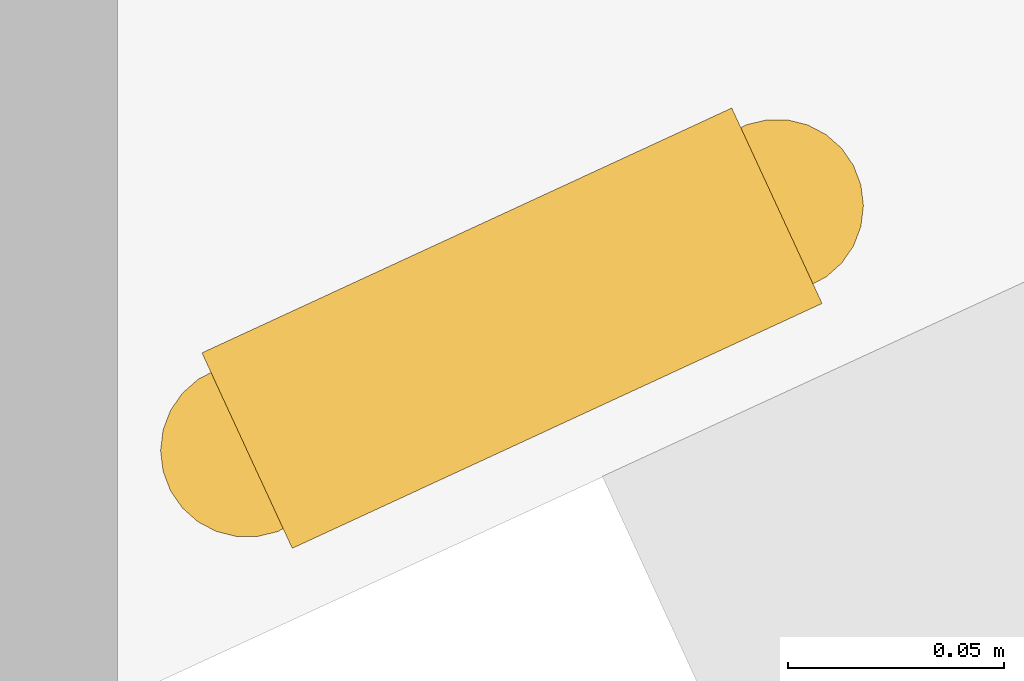
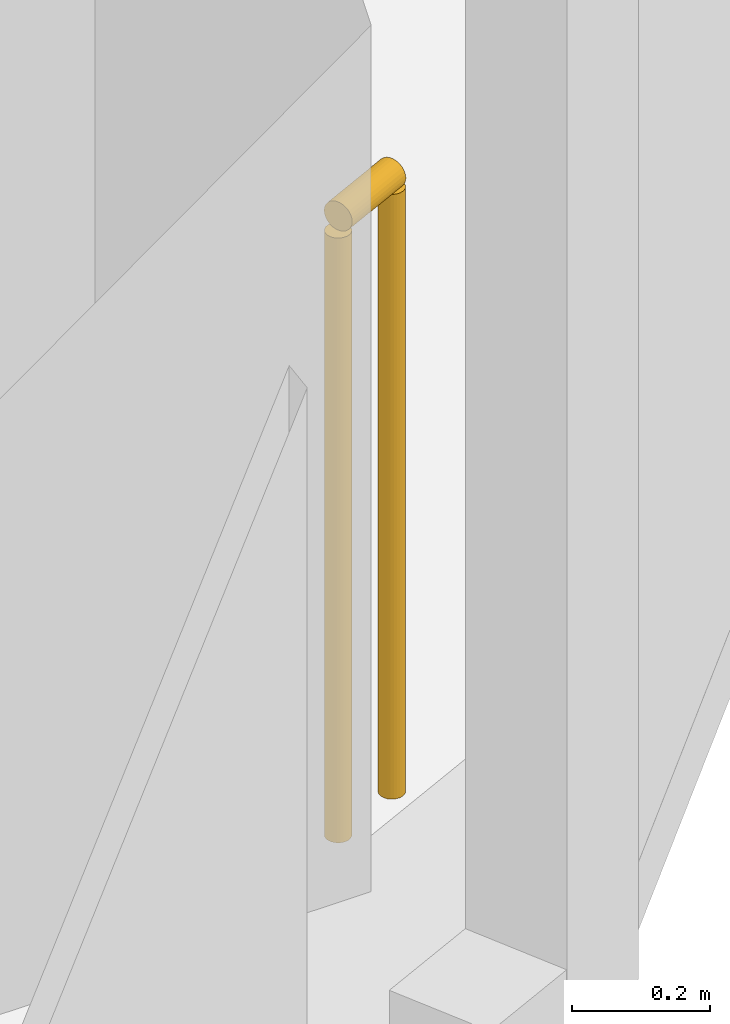
# One storey, part 23 of 23: 1 railing.
"""IFC4 building model written with IfcOpenShell, lengths in metres."""

from ifc_helpers import new_model, si_unit, direction, frame, origin, origin_2d, place, context, subcontext, project, spatial, circle, extrude, material, type_object, element, save


model = new_model("IFC4")

# Units and contexts
model_context = context("Model", 3, precision=1e-05, world=origin(), true_north=direction((0.0, 1.0)))
body_context = subcontext(model_context, "Body", "Model", "MODEL_VIEW")
ifc_project = project(units=[si_unit("LENGTHUNIT", "METRE"), si_unit("AREAUNIT", "SQUARE_METRE"), si_unit("VOLUMEUNIT", "CUBIC_METRE"), si_unit("PLANEANGLEUNIT", "RADIAN"), si_unit("MASSUNIT", "GRAM", prefix="KILO")], contexts=[model_context])

# Site, building, storey
site_placement = place(None, origin())
site = spatial("IfcSite", under=ifc_project, at=site_placement, CompositionType="ELEMENT")
building_placement = place(site_placement, origin())
building = spatial("IfcBuilding", under=site, at=building_placement, Name="Orlundy Tower", CompositionType="ELEMENT")
storey_placement = place(building_placement, frame((0.0, 0.0, 224.5)))
storey = spatial("IfcBuildingStorey", under=building, at=storey_placement, Name="L59", CompositionType="ELEMENT", Elevation=224.5)

# Railing
ifc_material = material(Name="Stainless steel bronze finish", Category="steel")
railing_type = type_object("IfcRailingType", Name="TG1 terrace guard", PredefinedType="GUARDRAIL", material=ifc_material)
railing_placement = place(storey_placement, frame((37.007568359375, -10.939453125, 0.0)))
element("IfcRailing", 1, at=railing_placement, inside=storey, type_object=railing_type, Name="Guard TG-L59-E00", PredefinedType="GUARDRAIL", context=body_context, shape_type="SweptSolid", body=[
    extrude(circle(Radius=0.02490234375, at=origin_2d()), frame((0.0, 0.0, 1.09521484375), z_axis=(-0.907747569666, -0.419516805105, 0.0), x_axis=(0.419516805105, -0.907747569666, 0.0)), (0.0, 0.0, 1.0), 0.135009765625),
    extrude(circle(Radius=0.02001953125, at=origin_2d()), origin(), (0.0, 0.0, 1.0), 1.070068359375),
    extrude(circle(Radius=0.02001953125, at=origin_2d()), frame((-0.12255859375, -0.056640625, 0.0)), (0.0, 0.0, 1.0), 1.070068359375),
])

save(model, "model.ifc")
